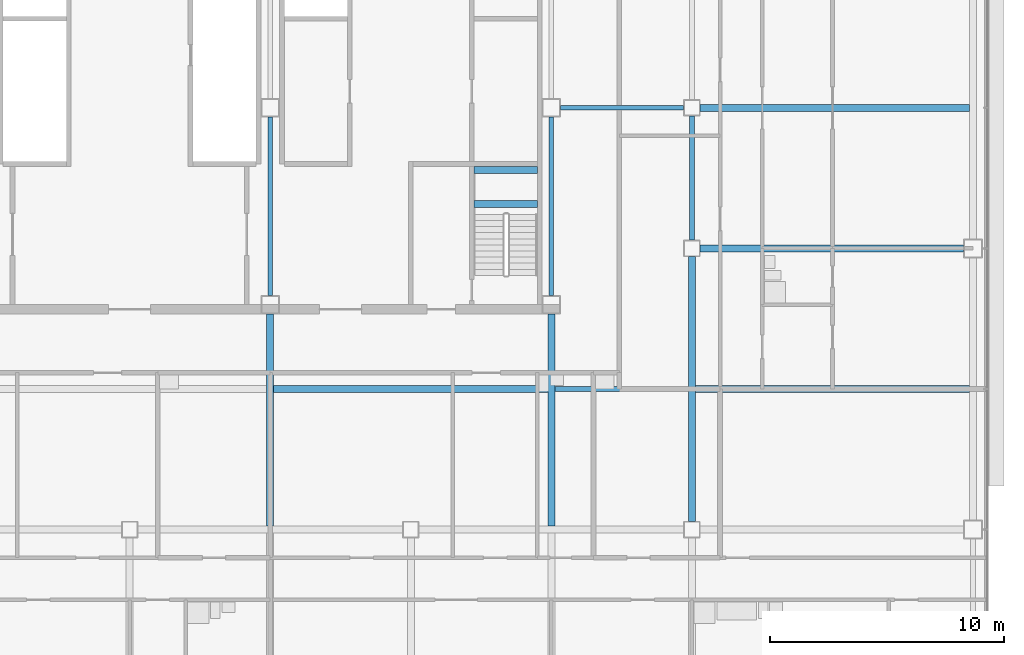
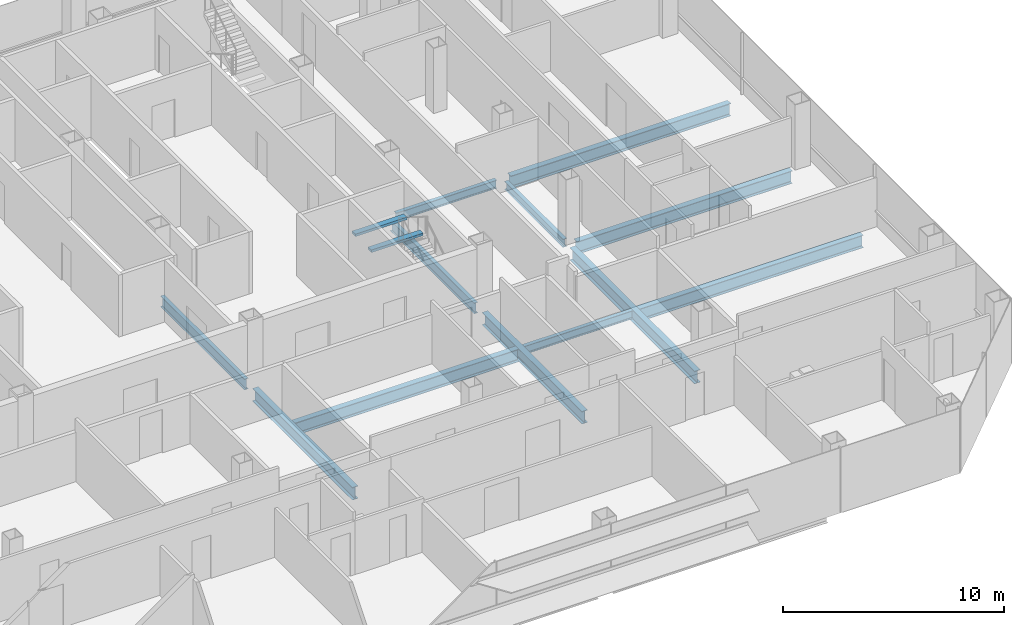
# One storey, part 10 of 25: 14 beams.
"""IFC4 building model written with IfcOpenShell, lengths in metres."""

from ifc_helpers import new_model, si_unit, direction, frame, origin, origin_2d, place, context, subcontext, project, spatial, rectangle, i_section, extrude, material, material_profile, profile_set, type_object, element, save


model = new_model("IFC4")

# Units and contexts
model_context = context("Model", 3, precision=1e-05, world=origin(), true_north=direction((0.0, 1.0)))
body_context = subcontext(model_context, "Body", "Model", "MODEL_VIEW")
ifc_project = project(units=[si_unit("LENGTHUNIT", "METRE"), si_unit("AREAUNIT", "SQUARE_METRE"), si_unit("VOLUMEUNIT", "CUBIC_METRE"), si_unit("PLANEANGLEUNIT", "RADIAN"), si_unit("MASSUNIT", "GRAM", prefix="KILO")], contexts=[model_context])

# Site, building, storey
site_placement = place(None, origin())
site = spatial("IfcSite", under=ifc_project, at=site_placement, CompositionType="ELEMENT")
building_placement = place(site_placement, origin())
building = spatial("IfcBuilding", under=site, at=building_placement, Name="Sorahane Residences", CompositionType="ELEMENT")
storey_placement = place(building_placement, frame((0.0, 0.0, 130.39990234375)))
storey = spatial("IfcBuildingStorey", under=building, at=storey_placement, Name="L29", CompositionType="ELEMENT", Elevation=130.39990234375)

# Beams
ifc_material_1 = material(Name="Concrete C40", Category="concrete")
ifc_material_profile_1 = material_profile(ifc_material_1, rectangle(XDim=0.300048828125, YDim=0.139892578125, at=origin_2d()), Name="300x140")
ifc_profile_set_1 = profile_set([ifc_material_profile_1], Name="Concrete C40")
beam_type_1 = type_object("IfcBeamType", Name="RC landing beam 300 x 140 Concrete C40", PredefinedType="BEAM", material=ifc_profile_set_1)
for number, where, z_axis, x_axis, name in (
    (1, (38.699951171875, 25.89990234375, 1.530029296875), (1.0, 0.0, 0.0), (0.0, 1.0, 0.0), "Landing beam"),
    (2, (38.699951171875, 27.35009765625, 1.530029296875), (1.0, 0.0, 0.0), (0.0, 1.0, 0.0), "Landing beam"),
):
    element("IfcBeam", number, at=place(storey_placement, frame(where, z_axis=z_axis, x_axis=x_axis)), inside=storey, type_object=beam_type_1, Name=name, PredefinedType="BEAM", context=body_context, shape_type="SweptSolid", body=[
        extrude(rectangle(XDim=0.300048828125, YDim=0.139892578125, at=origin_2d()), origin(), (0.0, 0.0, 1.0), 2.699951171875),
    ])
ifc_material_2 = material(Name="Steel Q355B", Category="steel")
ifc_material_profile_2 = material_profile(ifc_material_2, i_section(OverallWidth=0.199951171875, OverallDepth=0.449951171875, WebThickness=0.009033203125, FlangeThickness=0.013916015625, FilletRadius=0.02001953125, at=origin_2d()), Name="HN 450x200x9x14")
ifc_profile_set_2 = profile_set([ifc_material_profile_2], Name="Steel Q355B")
beam_type_2 = type_object("IfcBeamType", Name="Steel floor beam HN 450x200x9x14 Q355B", PredefinedType="BEAM", material=ifc_profile_set_2)
beam_1_placement = place(storey_placement, frame((48.0, 24.35009765625, -0.40478515625), z_axis=(0.0, 1.0, 0.0), x_axis=(-1.0, 0.0, 0.0)))
element("IfcBeam", 3, at=beam_1_placement, inside=storey, type_object=beam_type_2, Name="Beam L29 060", PredefinedType="BEAM", context=body_context, shape_type="SweptSolid", body=[
    extrude(i_section(OverallWidth=0.199951171875, OverallDepth=0.449951171875, WebThickness=0.009033203125, FlangeThickness=0.013916015625, FilletRadius=0.02001953125, at=origin_2d()), origin(), (0.0, 0.0, 1.0), 5.2998046875),
])
beam_2_placement = place(storey_placement, frame((42.14990234375, 18.0, -0.40478515625), z_axis=(1.0, 0.0, 0.0), x_axis=(0.0, 1.0, 0.0)))
element("IfcBeam", 4, at=beam_2_placement, inside=storey, type_object=beam_type_2, Name="Beam L29 083", PredefinedType="BEAM", context=body_context, shape_type="SweptSolid", body=[
    extrude(i_section(OverallWidth=0.199951171875, OverallDepth=0.449951171875, WebThickness=0.009033203125, FlangeThickness=0.013916015625, FilletRadius=0.02001953125, at=origin_2d()), origin(), (0.0, 0.0, 1.0), 5.7001953125),
])
beam_3_placement = place(storey_placement, frame((42.39990234375, 30.0, -0.40478515625), z_axis=(1.0, 0.0, 0.0), x_axis=(0.0, 1.0, 0.0)))
element("IfcBeam", 5, at=beam_3_placement, inside=storey, type_object=beam_type_2, Name="Beam L29 087", PredefinedType="BEAM", context=body_context, shape_type="SweptSolid", body=[
    extrude(i_section(OverallWidth=0.199951171875, OverallDepth=0.449951171875, WebThickness=0.009033203125, FlangeThickness=0.013916015625, FilletRadius=0.02001953125, at=origin_2d()), origin(), (0.0, 0.0, 1.0), 5.25),
])
ifc_material_3 = material(Name="Steel Q355B", Category="steel")
ifc_material_profile_3 = material_profile(ifc_material_3, i_section(OverallWidth=0.199951171875, OverallDepth=0.60009765625, WebThickness=0.010986328125, FlangeThickness=0.01708984375, FilletRadius=0.02392578125, at=origin_2d()), Name="HN 600x200x11x17")
ifc_profile_set_3 = profile_set([ifc_material_profile_3], Name="Steel Q355B")
beam_type_3 = type_object("IfcBeamType", Name="Steel floor beam HN 600x200x11x17 Q355B", PredefinedType="BEAM", material=ifc_profile_set_3)
for number, where, z_axis, x_axis, name in (
    (6, (30.0, 22.0, -0.47998046875), (0.0, 1.0, 0.0), (-1.0, 0.0, 0.0), "Beam L29 046"),
    (7, (42.0, 22.0, -0.47998046875), (0.0, 1.0, 0.0), (-1.0, 0.0, 0.0), "Beam L29 054"),
):
    element("IfcBeam", number, at=place(storey_placement, frame(where, z_axis=z_axis, x_axis=x_axis)), inside=storey, type_object=beam_type_3, Name=name, PredefinedType="BEAM", context=body_context, shape_type="SweptSolid", body=[
        extrude(i_section(OverallWidth=0.199951171875, OverallDepth=0.60009765625, WebThickness=0.010986328125, FlangeThickness=0.01708984375, FilletRadius=0.02392578125, at=origin_2d()), origin(), (0.0, 0.0, 1.0), 7.60009765625),
    ])
ifc_material_4 = material(Name="Steel Q355B", Category="steel")
ifc_material_profile_4 = material_profile(ifc_material_4, i_section(OverallWidth=0.300048828125, OverallDepth=0.699951171875, WebThickness=0.012939453125, FlangeThickness=0.02392578125, FilletRadius=0.028076171875, at=origin_2d()), Name="HN 700x300x13x24")
ifc_profile_set_4 = profile_set([ifc_material_profile_4], Name="Steel Q355B")
beam_type_4 = type_object("IfcBeamType", Name="Steel floor beam HN 700x300x13x24 Q355B", PredefinedType="BEAM", material=ifc_profile_set_4)
beam_4_placement = place(storey_placement, frame((48.35009765625, 24.0, -0.52978515625), z_axis=(1.0, 0.0, 0.0), x_axis=(0.0, 1.0, 0.0)))
element("IfcBeam", 8, at=beam_4_placement, inside=storey, type_object=beam_type_4, Name="Beam L29 012", PredefinedType="BEAM", context=body_context, shape_type="SweptSolid", body=[
    extrude(i_section(OverallWidth=0.300048828125, OverallDepth=0.699951171875, WebThickness=0.012939453125, FlangeThickness=0.02392578125, FilletRadius=0.028076171875, at=origin_2d()), origin(), (0.0, 0.0, 1.0), 11.25),
])
for number, where, z_axis, x_axis, name in (
    (9, (30.0, 12.14990234375, -0.52978515625), (0.0, 1.0, 0.0), (-1.0, 0.0, 0.0), "Beam L29 045"),
    (10, (42.0, 12.14990234375, -0.52978515625), (0.0, 1.0, 0.0), (-1.0, 0.0, 0.0), "Beam L29 053"),
):
    element("IfcBeam", number, at=place(storey_placement, frame(where, z_axis=z_axis, x_axis=x_axis)), inside=storey, type_object=beam_type_4, Name=name, PredefinedType="BEAM", context=body_context, shape_type="SweptSolid", body=[
        extrude(i_section(OverallWidth=0.300048828125, OverallDepth=0.699951171875, WebThickness=0.012939453125, FlangeThickness=0.02392578125, FilletRadius=0.028076171875, at=origin_2d()), origin(), (0.0, 0.0, 1.0), 9.050048828125),
    ])
beam_5_placement = place(storey_placement, frame((48.0, 12.35009765625, -0.52978515625), z_axis=(0.0, 1.0, 0.0), x_axis=(-1.0, 0.0, 0.0)))
element("IfcBeam", 11, at=beam_5_placement, inside=storey, type_object=beam_type_4, Name="Beam L29 059", PredefinedType="BEAM", context=body_context, shape_type="SweptSolid", body=[
    extrude(i_section(OverallWidth=0.300048828125, OverallDepth=0.699951171875, WebThickness=0.012939453125, FlangeThickness=0.02392578125, FilletRadius=0.028076171875, at=origin_2d()), origin(), (0.0, 0.0, 1.0), 11.2998046875),
])
for number, where, z_axis, x_axis, name in (
    (12, (30.14990234375, 18.0, -0.52978515625), (1.0, 0.0, 0.0), (0.0, 1.0, 0.0), "Beam L29 082"),
    (13, (48.14990234375, 18.0, -0.52978515625), (1.0, 0.0, 0.0), (0.0, 1.0, 0.0), "Beam L29 084"),
):
    element("IfcBeam", number, at=place(storey_placement, frame(where, z_axis=z_axis, x_axis=x_axis)), inside=storey, type_object=beam_type_4, Name=name, PredefinedType="BEAM", context=body_context, shape_type="SweptSolid", body=[
        extrude(i_section(OverallWidth=0.300048828125, OverallDepth=0.699951171875, WebThickness=0.012939453125, FlangeThickness=0.02392578125, FilletRadius=0.028076171875, at=origin_2d()), origin(), (0.0, 0.0, 1.0), 11.7001953125),
    ])
beam_6_placement = place(storey_placement, frame((48.35009765625, 30.0, -0.52978515625), z_axis=(1.0, 0.0, 0.0), x_axis=(0.0, 1.0, 0.0)))
element("IfcBeam", 14, at=beam_6_placement, inside=storey, type_object=beam_type_4, Name="Beam L29 088", PredefinedType="BEAM", context=body_context, shape_type="SweptSolid", body=[
    extrude(i_section(OverallWidth=0.300048828125, OverallDepth=0.699951171875, WebThickness=0.012939453125, FlangeThickness=0.02392578125, FilletRadius=0.028076171875, at=origin_2d()), origin(), (0.0, 0.0, 1.0), 11.5),
])

save(model, "model.ifc")
